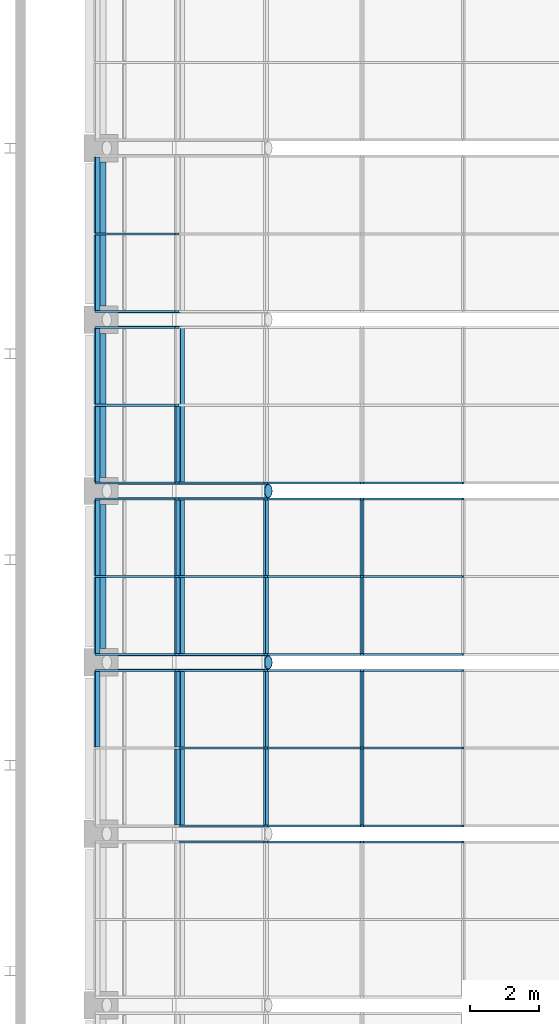
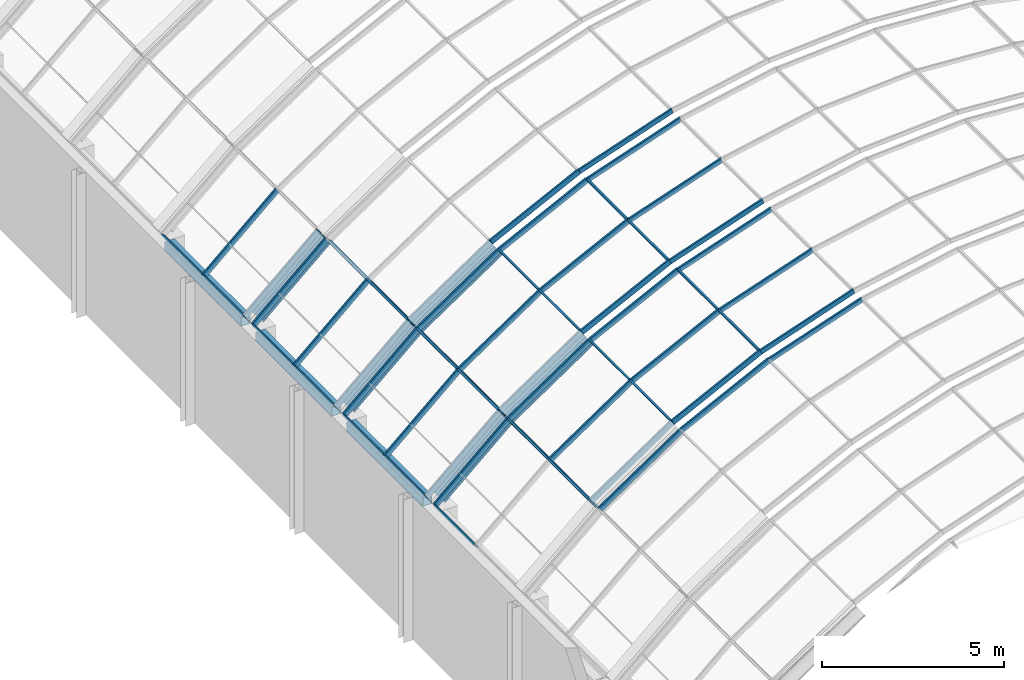
# One storey, part 72 of 182: 61 members, 3 beams, 5 elements without a shape of their own.
"""IFC4 building model written with IfcOpenShell, lengths in metres."""

from ifc_helpers import new_model, si_unit, direction, frame, origin, origin_2d, place, context, subcontext, project, spatial, rectangle, hollow_rectangle, hollow_circle, extrude, material, material_profile, profile_set, type_object, element, aggregate, save


model = new_model("IFC4")

# Units and contexts
model_context = context("Model", 3, precision=1e-05, world=origin(), true_north=direction((0.0, 1.0)))
body_context = subcontext(model_context, "Body", "Model", "MODEL_VIEW")
ifc_project = project(units=[si_unit("LENGTHUNIT", "METRE"), si_unit("AREAUNIT", "SQUARE_METRE"), si_unit("VOLUMEUNIT", "CUBIC_METRE"), si_unit("PLANEANGLEUNIT", "RADIAN"), si_unit("MASSUNIT", "GRAM", prefix="KILO")], contexts=[model_context])

# Site, building, storey
site_placement = place(None, origin())
site = spatial("IfcSite", under=ifc_project, at=site_placement, CompositionType="ELEMENT")
building_placement = place(site_placement, origin())
building = spatial("IfcBuilding", under=site, at=building_placement, Name="Okhra Congress Centre", CompositionType="ELEMENT")
storey_placement = place(building_placement, frame((0.0, 0.0, 7.199951171875)))
storey = spatial("IfcBuildingStorey", under=building, at=storey_placement, Name="L01", CompositionType="ELEMENT", Elevation=7.199951171875)

# Curtain wall, member
ifc_material_1 = material(Name="Aluminium frame with triple glazing", Category="aluminium")
curtain_wall_type = type_object("IfcCurtainWallType", Name="Glazed vault bay curtain wall", PredefinedType="NOTDEFINED", material=ifc_material_1)
curtain_wall_1_placement = place(storey_placement, origin())
curtain_wall_1 = element("IfcCurtainWall", 1, at=curtain_wall_1_placement, inside=storey, type_object=curtain_wall_type, Name="Vault glazing bay 18", PredefinedType="NOTDEFINED")
ifc_material_2 = material(Name="Aluminium alloy 6063", Category="aluminium")
ifc_material_profile_1 = material_profile(ifc_material_2, rectangle(XDim=0.06005859375, YDim=0.159912109375, at=origin_2d()), Name="AL 60x160")
ifc_profile_set_1 = profile_set([ifc_material_profile_1], Name="Aluminium alloy 6063")
member_type_1 = type_object("IfcMemberType", Name="Aluminium mullion 60x160", PredefinedType="MULLION", material=ifc_profile_set_1)
member_1_placement = place(storey_placement, frame((163.11328125, 165.766845703125, 7.12255859375), z_axis=(0.946065064306, 0.0, 0.323976687587), x_axis=(0.0, 1.0, 0.0)))
member_1 = element("IfcMember", 2, at=member_1_placement, type_object=member_type_1, Name="Vault mullion 18.3.4", PredefinedType="MULLION", context=body_context, shape_type="SweptSolid", body=[
    extrude(rectangle(XDim=0.06005859375, YDim=0.159912109375, at=origin_2d()), origin(), (0.0, 0.0, 1.0), 3.124267578125),
])

# Curtain wall, members
curtain_wall_2_placement = place(storey_placement, origin())
curtain_wall_2 = element("IfcCurtainWall", 3, at=curtain_wall_2_placement, inside=storey, type_object=curtain_wall_type, Name="Vault glazing bay 19", PredefinedType="NOTDEFINED")
member_2_placement = place(storey_placement, frame((163.11328125, 166.233154296875, 7.12255859375), z_axis=(0.946065064306, 0.0, 0.323976687587), x_axis=(0.0, 1.0, 0.0)))
member_2 = element("IfcMember", 4, at=member_2_placement, type_object=member_type_1, Name="Vault mullion 19.1.4", PredefinedType="MULLION", context=body_context, shape_type="SweptSolid", body=[
    extrude(rectangle(XDim=0.06005859375, YDim=0.159912109375, at=origin_2d()), origin(), (0.0, 0.0, 1.0), 3.124267578125),
])
member_3_placement = place(storey_placement, frame((163.11328125, 168.5, 7.12255859375), z_axis=(0.946065064306, 0.0, 0.323976687587), x_axis=(0.0, 1.0, 0.0)))
member_3 = element("IfcMember", 5, at=member_3_placement, type_object=member_type_1, Name="Vault mullion 19.2.4", PredefinedType="MULLION", context=body_context, shape_type="SweptSolid", body=[
    extrude(rectangle(XDim=0.06005859375, YDim=0.159912109375, at=origin_2d()), origin(), (0.0, 0.0, 1.0), 3.124267578125),
])
member_4_placement = place(storey_placement, frame((163.11328125, 170.766845703125, 7.12255859375), z_axis=(0.946065064306, 0.0, 0.323976687587), x_axis=(0.0, 1.0, 0.0)))
member_4 = element("IfcMember", 6, at=member_4_placement, type_object=member_type_1, Name="Vault mullion 19.3.4", PredefinedType="MULLION", context=body_context, shape_type="SweptSolid", body=[
    extrude(rectangle(XDim=0.06005859375, YDim=0.159912109375, at=origin_2d()), origin(), (0.0, 0.0, 1.0), 3.124267578125),
])

curtain_wall_3_placement = place(storey_placement, origin())
curtain_wall_3 = element("IfcCurtainWall", 7, at=curtain_wall_3_placement, inside=storey, type_object=curtain_wall_type, Name="Vault glazing bay 20", PredefinedType="NOTDEFINED")
member_5_placement = place(storey_placement, frame((163.11328125, 171.233154296875, 7.12255859375), z_axis=(0.946065064306, 0.0, 0.323976687587), x_axis=(0.0, 1.0, 0.0)))
member_5 = element("IfcMember", 8, at=member_5_placement, type_object=member_type_1, Name="Vault mullion 20.1.4", PredefinedType="MULLION", context=body_context, shape_type="SweptSolid", body=[
    extrude(rectangle(XDim=0.06005859375, YDim=0.159912109375, at=origin_2d()), origin(), (0.0, 0.0, 1.0), 3.124267578125),
])
member_6_placement = place(storey_placement, frame((163.11328125, 173.5, 7.12255859375), z_axis=(0.946065064306, 0.0, 0.323976687587), x_axis=(0.0, 1.0, 0.0)))
member_6 = element("IfcMember", 9, at=member_6_placement, type_object=member_type_1, Name="Vault mullion 20.2.4", PredefinedType="MULLION", context=body_context, shape_type="SweptSolid", body=[
    extrude(rectangle(XDim=0.06005859375, YDim=0.159912109375, at=origin_2d()), origin(), (0.0, 0.0, 1.0), 3.124267578125),
])
member_7_placement = place(storey_placement, frame((163.11328125, 175.766845703125, 7.12255859375), z_axis=(0.946065064306, 0.0, 0.323976687587), x_axis=(0.0, 1.0, 0.0)))
member_7 = element("IfcMember", 10, at=member_7_placement, type_object=member_type_1, Name="Vault mullion 20.3.4", PredefinedType="MULLION", context=body_context, shape_type="SweptSolid", body=[
    extrude(rectangle(XDim=0.06005859375, YDim=0.159912109375, at=origin_2d()), origin(), (0.0, 0.0, 1.0), 3.124267578125),
])

# Curtain wall, member
curtain_wall_4_placement = place(storey_placement, origin())
curtain_wall_4 = element("IfcCurtainWall", 11, at=curtain_wall_4_placement, inside=storey, type_object=curtain_wall_type, Name="Vault glazing bay 21", PredefinedType="NOTDEFINED")
member_8_placement = place(storey_placement, frame((163.11328125, 176.233154296875, 7.12255859375), z_axis=(0.946065064306, 0.0, 0.323976687587), x_axis=(0.0, 1.0, 0.0)))
member_8 = element("IfcMember", 12, at=member_8_placement, type_object=member_type_1, Name="Vault mullion 21.1.4", PredefinedType="MULLION", context=body_context, shape_type="SweptSolid", body=[
    extrude(rectangle(XDim=0.06005859375, YDim=0.159912109375, at=origin_2d()), origin(), (0.0, 0.0, 1.0), 3.124267578125),
])

# Member
ifc_material_profile_2 = material_profile(ifc_material_2, rectangle(XDim=0.06005859375, YDim=0.179931640625, at=origin_2d()), Name="AL 60x180")
ifc_profile_set_2 = profile_set([ifc_material_profile_2], Name="Aluminium alloy 6063")
member_type_2 = type_object("IfcMemberType", Name="Aluminium mullion 60x180", PredefinedType="MULLION", material=ifc_profile_set_2)
member_9_placement = place(storey_placement, frame((157.720703125, 165.766845703125, 3.990478515625), z_axis=(0.828827846338, 0.0, 0.559503709671), x_axis=(0.0, 1.0, 0.0)))
member_9 = element("IfcMember", 13, at=member_9_placement, type_object=member_type_2, Name="Vault mullion 18.3.2", PredefinedType="MULLION", context=body_context, shape_type="SweptSolid", body=[
    extrude(rectangle(XDim=0.06005859375, YDim=0.179931640625, at=origin_2d()), origin(), (0.0, 0.0, 1.0), 3.12548828125),
])

member_10_placement = place(storey_placement, frame((160.311279296875, 165.766845703125, 5.7392578125), z_axis=(0.895253656313, 0.0, 0.445556832354), x_axis=(0.0, 1.0, 0.0)))
member_10 = element("IfcMember", 14, at=member_10_placement, type_object=member_type_2, Name="Vault mullion 18.3.3", PredefinedType="MULLION", context=body_context, shape_type="SweptSolid", body=[
    extrude(rectangle(XDim=0.06005859375, YDim=0.179931640625, at=origin_2d()), origin(), (0.0, 0.0, 1.0), 3.12548828125),
])

aggregate(curtain_wall_1, [member_9, member_10, member_1])

member_11_placement = place(storey_placement, frame((157.720703125, 166.233154296875, 3.990478515625), z_axis=(0.828827846338, 0.0, 0.559503709671), x_axis=(0.0, 1.0, 0.0)))
member_11 = element("IfcMember", 15, at=member_11_placement, type_object=member_type_2, Name="Vault mullion 19.1.2", PredefinedType="MULLION", context=body_context, shape_type="SweptSolid", body=[
    extrude(rectangle(XDim=0.06005859375, YDim=0.179931640625, at=origin_2d()), origin(), (0.0, 0.0, 1.0), 3.12548828125),
])

member_12_placement = place(storey_placement, frame((160.311279296875, 166.233154296875, 5.7392578125), z_axis=(0.895253656313, 0.0, 0.445556832354), x_axis=(0.0, 1.0, 0.0)))
member_12 = element("IfcMember", 16, at=member_12_placement, type_object=member_type_2, Name="Vault mullion 19.1.3", PredefinedType="MULLION", context=body_context, shape_type="SweptSolid", body=[
    extrude(rectangle(XDim=0.06005859375, YDim=0.179931640625, at=origin_2d()), origin(), (0.0, 0.0, 1.0), 3.12548828125),
])

member_13_placement = place(storey_placement, frame((157.720703125, 168.5, 3.990478515625), z_axis=(0.828827846338, 0.0, 0.559503709671), x_axis=(0.0, 1.0, 0.0)))
member_13 = element("IfcMember", 17, at=member_13_placement, type_object=member_type_2, Name="Vault mullion 19.2.2", PredefinedType="MULLION", context=body_context, shape_type="SweptSolid", body=[
    extrude(rectangle(XDim=0.06005859375, YDim=0.179931640625, at=origin_2d()), origin(), (0.0, 0.0, 1.0), 3.12548828125),
])

member_14_placement = place(storey_placement, frame((160.311279296875, 168.5, 5.7392578125), z_axis=(0.895253656313, 0.0, 0.445556832354), x_axis=(0.0, 1.0, 0.0)))
member_14 = element("IfcMember", 18, at=member_14_placement, type_object=member_type_2, Name="Vault mullion 19.2.3", PredefinedType="MULLION", context=body_context, shape_type="SweptSolid", body=[
    extrude(rectangle(XDim=0.06005859375, YDim=0.179931640625, at=origin_2d()), origin(), (0.0, 0.0, 1.0), 3.12548828125),
])

member_15_placement = place(storey_placement, frame((155.382568359375, 170.766845703125, 1.916015625), z_axis=(0.748025229923, 0.0, 0.663670291183), x_axis=(0.0, 1.0, 0.0)))
member_15 = element("IfcMember", 19, at=member_15_placement, type_object=member_type_2, Name="Vault mullion 19.3.1", PredefinedType="MULLION", context=body_context, shape_type="SweptSolid", body=[
    extrude(rectangle(XDim=0.06005859375, YDim=0.179931640625, at=origin_2d()), origin(), (0.0, 0.0, 1.0), 3.125732421875),
])

member_16_placement = place(storey_placement, frame((157.720703125, 170.766845703125, 3.990478515625), z_axis=(0.828827846338, 0.0, 0.559503709671), x_axis=(0.0, 1.0, 0.0)))
member_16 = element("IfcMember", 20, at=member_16_placement, type_object=member_type_2, Name="Vault mullion 19.3.2", PredefinedType="MULLION", context=body_context, shape_type="SweptSolid", body=[
    extrude(rectangle(XDim=0.06005859375, YDim=0.179931640625, at=origin_2d()), origin(), (0.0, 0.0, 1.0), 3.12548828125),
])

member_17_placement = place(storey_placement, frame((160.311279296875, 170.766845703125, 5.7392578125), z_axis=(0.895253656313, 0.0, 0.445556832354), x_axis=(0.0, 1.0, 0.0)))
member_17 = element("IfcMember", 21, at=member_17_placement, type_object=member_type_2, Name="Vault mullion 19.3.3", PredefinedType="MULLION", context=body_context, shape_type="SweptSolid", body=[
    extrude(rectangle(XDim=0.06005859375, YDim=0.179931640625, at=origin_2d()), origin(), (0.0, 0.0, 1.0), 3.12548828125),
])

member_18_placement = place(storey_placement, frame((155.382568359375, 171.233154296875, 1.916015625), z_axis=(0.748025229923, 0.0, 0.663670291183), x_axis=(0.0, 1.0, 0.0)))
member_18 = element("IfcMember", 22, at=member_18_placement, type_object=member_type_2, Name="Vault mullion 20.1.1", PredefinedType="MULLION", context=body_context, shape_type="SweptSolid", body=[
    extrude(rectangle(XDim=0.06005859375, YDim=0.179931640625, at=origin_2d()), origin(), (0.0, 0.0, 1.0), 3.125732421875),
])

member_19_placement = place(storey_placement, frame((157.720703125, 171.233154296875, 3.990478515625), z_axis=(0.828827846338, 0.0, 0.559503709671), x_axis=(0.0, 1.0, 0.0)))
member_19 = element("IfcMember", 23, at=member_19_placement, type_object=member_type_2, Name="Vault mullion 20.1.2", PredefinedType="MULLION", context=body_context, shape_type="SweptSolid", body=[
    extrude(rectangle(XDim=0.06005859375, YDim=0.179931640625, at=origin_2d()), origin(), (0.0, 0.0, 1.0), 3.12548828125),
])

member_20_placement = place(storey_placement, frame((160.311279296875, 171.233154296875, 5.7392578125), z_axis=(0.895253656313, 0.0, 0.445556832354), x_axis=(0.0, 1.0, 0.0)))
member_20 = element("IfcMember", 24, at=member_20_placement, type_object=member_type_2, Name="Vault mullion 20.1.3", PredefinedType="MULLION", context=body_context, shape_type="SweptSolid", body=[
    extrude(rectangle(XDim=0.06005859375, YDim=0.179931640625, at=origin_2d()), origin(), (0.0, 0.0, 1.0), 3.12548828125),
])

member_21_placement = place(storey_placement, frame((155.382568359375, 173.5, 1.916015625), z_axis=(0.748025229923, 0.0, 0.663670291183), x_axis=(0.0, 1.0, 0.0)))
member_21 = element("IfcMember", 25, at=member_21_placement, type_object=member_type_2, Name="Vault mullion 20.2.1", PredefinedType="MULLION", context=body_context, shape_type="SweptSolid", body=[
    extrude(rectangle(XDim=0.06005859375, YDim=0.179931640625, at=origin_2d()), origin(), (0.0, 0.0, 1.0), 3.125732421875),
])

member_22_placement = place(storey_placement, frame((157.720703125, 173.5, 3.990478515625), z_axis=(0.828827846338, 0.0, 0.559503709671), x_axis=(0.0, 1.0, 0.0)))
member_22 = element("IfcMember", 26, at=member_22_placement, type_object=member_type_2, Name="Vault mullion 20.2.2", PredefinedType="MULLION", context=body_context, shape_type="SweptSolid", body=[
    extrude(rectangle(XDim=0.06005859375, YDim=0.179931640625, at=origin_2d()), origin(), (0.0, 0.0, 1.0), 3.12548828125),
])

member_23_placement = place(storey_placement, frame((160.311279296875, 173.5, 5.7392578125), z_axis=(0.895253656313, 0.0, 0.445556832354), x_axis=(0.0, 1.0, 0.0)))
member_23 = element("IfcMember", 27, at=member_23_placement, type_object=member_type_2, Name="Vault mullion 20.2.3", PredefinedType="MULLION", context=body_context, shape_type="SweptSolid", body=[
    extrude(rectangle(XDim=0.06005859375, YDim=0.179931640625, at=origin_2d()), origin(), (0.0, 0.0, 1.0), 3.12548828125),
])

member_24_placement = place(storey_placement, frame((155.382568359375, 175.766845703125, 1.916015625), z_axis=(0.748025229923, 0.0, 0.663670291183), x_axis=(0.0, 1.0, 0.0)))
member_24 = element("IfcMember", 28, at=member_24_placement, type_object=member_type_2, Name="Vault mullion 20.3.1", PredefinedType="MULLION", context=body_context, shape_type="SweptSolid", body=[
    extrude(rectangle(XDim=0.06005859375, YDim=0.179931640625, at=origin_2d()), origin(), (0.0, 0.0, 1.0), 3.125732421875),
])

member_25_placement = place(storey_placement, frame((157.720703125, 175.766845703125, 3.990478515625), z_axis=(0.828827846338, 0.0, 0.559503709671), x_axis=(0.0, 1.0, 0.0)))
member_25 = element("IfcMember", 29, at=member_25_placement, type_object=member_type_2, Name="Vault mullion 20.3.2", PredefinedType="MULLION", context=body_context, shape_type="SweptSolid", body=[
    extrude(rectangle(XDim=0.06005859375, YDim=0.179931640625, at=origin_2d()), origin(), (0.0, 0.0, 1.0), 3.12548828125),
])

member_26_placement = place(storey_placement, frame((160.311279296875, 175.766845703125, 5.7392578125), z_axis=(0.895253656313, 0.0, 0.445556832354), x_axis=(0.0, 1.0, 0.0)))
member_26 = element("IfcMember", 30, at=member_26_placement, type_object=member_type_2, Name="Vault mullion 20.3.3", PredefinedType="MULLION", context=body_context, shape_type="SweptSolid", body=[
    extrude(rectangle(XDim=0.06005859375, YDim=0.179931640625, at=origin_2d()), origin(), (0.0, 0.0, 1.0), 3.12548828125),
])

member_27_placement = place(storey_placement, frame((155.382568359375, 176.233154296875, 1.916015625), z_axis=(0.748025229923, 0.0, 0.663670291183), x_axis=(0.0, 1.0, 0.0)))
member_27 = element("IfcMember", 31, at=member_27_placement, type_object=member_type_2, Name="Vault mullion 21.1.1", PredefinedType="MULLION", context=body_context, shape_type="SweptSolid", body=[
    extrude(rectangle(XDim=0.06005859375, YDim=0.179931640625, at=origin_2d()), origin(), (0.0, 0.0, 1.0), 3.125732421875),
])

member_28_placement = place(storey_placement, frame((157.720703125, 176.233154296875, 3.990478515625), z_axis=(0.828827846338, 0.0, 0.559503709671), x_axis=(0.0, 1.0, 0.0)))
member_28 = element("IfcMember", 32, at=member_28_placement, type_object=member_type_2, Name="Vault mullion 21.1.2", PredefinedType="MULLION", context=body_context, shape_type="SweptSolid", body=[
    extrude(rectangle(XDim=0.06005859375, YDim=0.179931640625, at=origin_2d()), origin(), (0.0, 0.0, 1.0), 3.12548828125),
])

member_29_placement = place(storey_placement, frame((160.311279296875, 176.233154296875, 5.7392578125), z_axis=(0.895253656313, 0.0, 0.445556832354), x_axis=(0.0, 1.0, 0.0)))
member_29 = element("IfcMember", 33, at=member_29_placement, type_object=member_type_2, Name="Vault mullion 21.1.3", PredefinedType="MULLION", context=body_context, shape_type="SweptSolid", body=[
    extrude(rectangle(XDim=0.06005859375, YDim=0.179931640625, at=origin_2d()), origin(), (0.0, 0.0, 1.0), 3.12548828125),
])

member_30_placement = place(storey_placement, frame((155.382568359375, 178.5, 1.916015625), z_axis=(0.748025229923, 0.0, 0.663670291183), x_axis=(0.0, 1.0, 0.0)))
member_30 = element("IfcMember", 34, at=member_30_placement, type_object=member_type_2, Name="Vault mullion 21.2.1", PredefinedType="MULLION", context=body_context, shape_type="SweptSolid", body=[
    extrude(rectangle(XDim=0.06005859375, YDim=0.179931640625, at=origin_2d()), origin(), (0.0, 0.0, 1.0), 3.125732421875),
])

member_31_placement = place(storey_placement, frame((155.382568359375, 180.766845703125, 1.916015625), z_axis=(0.748025229923, 0.0, 0.663670291183), x_axis=(0.0, 1.0, 0.0)))
member_31 = element("IfcMember", 35, at=member_31_placement, type_object=member_type_2, Name="Vault mullion 21.3.1", PredefinedType="MULLION", context=body_context, shape_type="SweptSolid", body=[
    extrude(rectangle(XDim=0.06005859375, YDim=0.179931640625, at=origin_2d()), origin(), (0.0, 0.0, 1.0), 3.125732421875),
])

# Curtain wall, members
curtain_wall_5_placement = place(storey_placement, origin())
curtain_wall_5 = element("IfcCurtainWall", 36, at=curtain_wall_5_placement, inside=storey, type_object=curtain_wall_type, Name="Vault glazing bay 22", PredefinedType="NOTDEFINED")
member_32_placement = place(storey_placement, frame((155.382568359375, 181.233154296875, 1.916015625), z_axis=(0.748025229923, 0.0, 0.663670291183), x_axis=(0.0, 1.0, 0.0)))
member_32 = element("IfcMember", 37, at=member_32_placement, type_object=member_type_2, Name="Vault mullion 22.1.1", PredefinedType="MULLION", context=body_context, shape_type="SweptSolid", body=[
    extrude(rectangle(XDim=0.06005859375, YDim=0.179931640625, at=origin_2d()), origin(), (0.0, 0.0, 1.0), 3.125732421875),
])
member_33_placement = place(storey_placement, frame((155.382568359375, 183.5, 1.916015625), z_axis=(0.748025229923, 0.0, 0.663670291183), x_axis=(0.0, 1.0, 0.0)))
member_33 = element("IfcMember", 38, at=member_33_placement, type_object=member_type_2, Name="Vault mullion 22.2.1", PredefinedType="MULLION", context=body_context, shape_type="SweptSolid", body=[
    extrude(rectangle(XDim=0.06005859375, YDim=0.179931640625, at=origin_2d()), origin(), (0.0, 0.0, 1.0), 3.125732421875),
])

# Member
ifc_material_profile_3 = material_profile(ifc_material_2, rectangle(XDim=0.06005859375, YDim=0.159912109375, at=origin_2d()), Name="AL 60x160 transom")
ifc_profile_set_3 = profile_set([ifc_material_profile_3], Name="Aluminium alloy 6063")
member_type_3 = type_object("IfcMemberType", Name="Aluminium transom 60x160", PredefinedType="USERDEFINED", material=ifc_profile_set_3)
member_34_placement = place(storey_placement, frame((163.11328125, 166.26318359375, 7.12255859375), z_axis=(0.0, 1.0, 0.0), x_axis=(-0.922668973833, 0.0, -0.38559300399)))
member_34 = element("IfcMember", 39, at=member_34_placement, type_object=member_type_3, Name="Vault transom 19.1.4", ObjectType="TRANSOM", PredefinedType="USERDEFINED", context=body_context, shape_type="SweptSolid", body=[
    extrude(rectangle(XDim=0.06005859375, YDim=0.159912109375, at=origin_2d()), origin(), (0.0, 0.0, 1.0), 2.206787109375),
])

member_35_placement = place(storey_placement, frame((163.11328125, 168.530029296875, 7.12255859375), z_axis=(0.0, 1.0, 0.0), x_axis=(-0.922668973833, 0.0, -0.38559300399)))
member_35 = element("IfcMember", 40, at=member_35_placement, type_object=member_type_3, Name="Vault transom 19.2.4", ObjectType="TRANSOM", PredefinedType="USERDEFINED", context=body_context, shape_type="SweptSolid", body=[
    extrude(rectangle(XDim=0.06005859375, YDim=0.159912109375, at=origin_2d()), origin(), (0.0, 0.0, 1.0), 2.206787109375),
])

member_36_placement = place(storey_placement, frame((163.11328125, 171.26318359375, 7.12255859375), z_axis=(0.0, 1.0, 0.0), x_axis=(-0.922668973833, 0.0, -0.38559300399)))
member_36 = element("IfcMember", 41, at=member_36_placement, type_object=member_type_3, Name="Vault transom 20.1.4", ObjectType="TRANSOM", PredefinedType="USERDEFINED", context=body_context, shape_type="SweptSolid", body=[
    extrude(rectangle(XDim=0.06005859375, YDim=0.159912109375, at=origin_2d()), origin(), (0.0, 0.0, 1.0), 2.206787109375),
])

member_37_placement = place(storey_placement, frame((163.11328125, 173.530029296875, 7.12255859375), z_axis=(0.0, 1.0, 0.0), x_axis=(-0.922668973833, 0.0, -0.38559300399)))
member_37 = element("IfcMember", 42, at=member_37_placement, type_object=member_type_3, Name="Vault transom 20.2.4", ObjectType="TRANSOM", PredefinedType="USERDEFINED", context=body_context, shape_type="SweptSolid", body=[
    extrude(rectangle(XDim=0.06005859375, YDim=0.159912109375, at=origin_2d()), origin(), (0.0, 0.0, 1.0), 2.206787109375),
])

ifc_material_profile_4 = material_profile(ifc_material_2, rectangle(XDim=0.06005859375, YDim=0.179931640625, at=origin_2d()), Name="AL 60x180 transom")
ifc_profile_set_4 = profile_set([ifc_material_profile_4], Name="Aluminium alloy 6063")
member_type_4 = type_object("IfcMemberType", Name="Aluminium transom 60x180", PredefinedType="USERDEFINED", material=ifc_profile_set_4)
member_38_placement = place(storey_placement, frame((157.720703125, 166.26318359375, 3.990478515625), z_axis=(0.0, 1.0, 0.0), x_axis=(-0.790145035185, 0.0, -0.612919915954)))
member_38 = element("IfcMember", 43, at=member_38_placement, type_object=member_type_4, Name="Vault transom 19.1.2", ObjectType="TRANSOM", PredefinedType="USERDEFINED", context=body_context, shape_type="SweptSolid", body=[
    extrude(rectangle(XDim=0.06005859375, YDim=0.179931640625, at=origin_2d()), origin(), (0.0, 0.0, 1.0), 2.206787109375),
])

member_39_placement = place(storey_placement, frame((160.311279296875, 166.26318359375, 5.7392578125), z_axis=(0.0, 1.0, 0.0), x_axis=(-0.86391685861, 0.0, -0.503634452167)))
member_39 = element("IfcMember", 44, at=member_39_placement, type_object=member_type_4, Name="Vault transom 19.1.3", ObjectType="TRANSOM", PredefinedType="USERDEFINED", context=body_context, shape_type="SweptSolid", body=[
    extrude(rectangle(XDim=0.06005859375, YDim=0.179931640625, at=origin_2d()), origin(), (0.0, 0.0, 1.0), 2.206787109375),
])

member_40_placement = place(storey_placement, frame((155.382568359375, 168.530029296875, 1.916015625), z_axis=(0.0, 1.0, 0.0), x_axis=(-0.702636070549, 0.0, -0.711549402616)))
member_40 = element("IfcMember", 45, at=member_40_placement, type_object=member_type_4, Name="Vault transom 19.2.1", ObjectType="TRANSOM", PredefinedType="USERDEFINED", context=body_context, shape_type="SweptSolid", body=[
    extrude(rectangle(XDim=0.06005859375, YDim=0.179931640625, at=origin_2d()), origin(), (0.0, 0.0, 1.0), 2.206787109375),
])

member_41_placement = place(storey_placement, frame((157.720703125, 168.530029296875, 3.990478515625), z_axis=(0.0, 1.0, 0.0), x_axis=(-0.790145035185, 0.0, -0.612919915954)))
member_41 = element("IfcMember", 46, at=member_41_placement, type_object=member_type_4, Name="Vault transom 19.2.2", ObjectType="TRANSOM", PredefinedType="USERDEFINED", context=body_context, shape_type="SweptSolid", body=[
    extrude(rectangle(XDim=0.06005859375, YDim=0.179931640625, at=origin_2d()), origin(), (0.0, 0.0, 1.0), 2.206787109375),
])

member_42_placement = place(storey_placement, frame((160.311279296875, 168.530029296875, 5.7392578125), z_axis=(0.0, 1.0, 0.0), x_axis=(-0.86391685861, 0.0, -0.503634452167)))
member_42 = element("IfcMember", 47, at=member_42_placement, type_object=member_type_4, Name="Vault transom 19.2.3", ObjectType="TRANSOM", PredefinedType="USERDEFINED", context=body_context, shape_type="SweptSolid", body=[
    extrude(rectangle(XDim=0.06005859375, YDim=0.179931640625, at=origin_2d()), origin(), (0.0, 0.0, 1.0), 2.206787109375),
])

aggregate(curtain_wall_2, [member_11, member_12, member_2, member_13, member_14, member_3, member_15, member_16, member_17, member_4, member_38, member_39, member_34, member_40, member_41, member_42, member_35])

member_43_placement = place(storey_placement, frame((155.382568359375, 171.26318359375, 1.916015625), z_axis=(0.0, 1.0, 0.0), x_axis=(-0.702636070549, 0.0, -0.711549402616)))
member_43 = element("IfcMember", 48, at=member_43_placement, type_object=member_type_4, Name="Vault transom 20.1.1", ObjectType="TRANSOM", PredefinedType="USERDEFINED", context=body_context, shape_type="SweptSolid", body=[
    extrude(rectangle(XDim=0.06005859375, YDim=0.179931640625, at=origin_2d()), origin(), (0.0, 0.0, 1.0), 2.206787109375),
])

member_44_placement = place(storey_placement, frame((157.720703125, 171.26318359375, 3.990478515625), z_axis=(0.0, 1.0, 0.0), x_axis=(-0.790145035185, 0.0, -0.612919915954)))
member_44 = element("IfcMember", 49, at=member_44_placement, type_object=member_type_4, Name="Vault transom 20.1.2", ObjectType="TRANSOM", PredefinedType="USERDEFINED", context=body_context, shape_type="SweptSolid", body=[
    extrude(rectangle(XDim=0.06005859375, YDim=0.179931640625, at=origin_2d()), origin(), (0.0, 0.0, 1.0), 2.206787109375),
])

member_45_placement = place(storey_placement, frame((160.311279296875, 171.26318359375, 5.7392578125), z_axis=(0.0, 1.0, 0.0), x_axis=(-0.86391685861, 0.0, -0.503634452167)))
member_45 = element("IfcMember", 50, at=member_45_placement, type_object=member_type_4, Name="Vault transom 20.1.3", ObjectType="TRANSOM", PredefinedType="USERDEFINED", context=body_context, shape_type="SweptSolid", body=[
    extrude(rectangle(XDim=0.06005859375, YDim=0.179931640625, at=origin_2d()), origin(), (0.0, 0.0, 1.0), 2.206787109375),
])

member_46_placement = place(storey_placement, frame((155.382568359375, 173.530029296875, 1.916015625), z_axis=(0.0, 1.0, 0.0), x_axis=(-0.702636070549, 0.0, -0.711549402616)))
member_46 = element("IfcMember", 51, at=member_46_placement, type_object=member_type_4, Name="Vault transom 20.2.1", ObjectType="TRANSOM", PredefinedType="USERDEFINED", context=body_context, shape_type="SweptSolid", body=[
    extrude(rectangle(XDim=0.06005859375, YDim=0.179931640625, at=origin_2d()), origin(), (0.0, 0.0, 1.0), 2.206787109375),
])

member_47_placement = place(storey_placement, frame((157.720703125, 173.530029296875, 3.990478515625), z_axis=(0.0, 1.0, 0.0), x_axis=(-0.790145035185, 0.0, -0.612919915954)))
member_47 = element("IfcMember", 52, at=member_47_placement, type_object=member_type_4, Name="Vault transom 20.2.2", ObjectType="TRANSOM", PredefinedType="USERDEFINED", context=body_context, shape_type="SweptSolid", body=[
    extrude(rectangle(XDim=0.06005859375, YDim=0.179931640625, at=origin_2d()), origin(), (0.0, 0.0, 1.0), 2.206787109375),
])

member_48_placement = place(storey_placement, frame((160.311279296875, 173.530029296875, 5.7392578125), z_axis=(0.0, 1.0, 0.0), x_axis=(-0.86391685861, 0.0, -0.503634452167)))
member_48 = element("IfcMember", 53, at=member_48_placement, type_object=member_type_4, Name="Vault transom 20.2.3", ObjectType="TRANSOM", PredefinedType="USERDEFINED", context=body_context, shape_type="SweptSolid", body=[
    extrude(rectangle(XDim=0.06005859375, YDim=0.179931640625, at=origin_2d()), origin(), (0.0, 0.0, 1.0), 2.206787109375),
])

aggregate(curtain_wall_3, [member_18, member_19, member_20, member_5, member_21, member_22, member_23, member_6, member_24, member_25, member_26, member_7, member_43, member_44, member_45, member_36, member_46, member_47, member_48, member_37])

member_49_placement = place(storey_placement, frame((155.382568359375, 176.26318359375, 1.916015625), z_axis=(0.0, 1.0, 0.0), x_axis=(-0.702636070549, 0.0, -0.711549402616)))
member_49 = element("IfcMember", 54, at=member_49_placement, type_object=member_type_4, Name="Vault transom 21.1.1", ObjectType="TRANSOM", PredefinedType="USERDEFINED", context=body_context, shape_type="SweptSolid", body=[
    extrude(rectangle(XDim=0.06005859375, YDim=0.179931640625, at=origin_2d()), origin(), (0.0, 0.0, 1.0), 2.206787109375),
])

member_50_placement = place(storey_placement, frame((157.720703125, 176.26318359375, 3.990478515625), z_axis=(0.0, 1.0, 0.0), x_axis=(-0.790145035185, 0.0, -0.612919915954)))
member_50 = element("IfcMember", 55, at=member_50_placement, type_object=member_type_4, Name="Vault transom 21.1.2", ObjectType="TRANSOM", PredefinedType="USERDEFINED", context=body_context, shape_type="SweptSolid", body=[
    extrude(rectangle(XDim=0.06005859375, YDim=0.179931640625, at=origin_2d()), origin(), (0.0, 0.0, 1.0), 2.206787109375),
])

member_51_placement = place(storey_placement, frame((155.382568359375, 178.530029296875, 1.916015625), z_axis=(0.0, 1.0, 0.0), x_axis=(-0.702636070549, 0.0, -0.711549402616)))
member_51 = element("IfcMember", 56, at=member_51_placement, type_object=member_type_4, Name="Vault transom 21.2.1", ObjectType="TRANSOM", PredefinedType="USERDEFINED", context=body_context, shape_type="SweptSolid", body=[
    extrude(rectangle(XDim=0.06005859375, YDim=0.179931640625, at=origin_2d()), origin(), (0.0, 0.0, 1.0), 2.206787109375),
])

aggregate(curtain_wall_4, [member_27, member_28, member_29, member_8, member_30, member_31, member_49, member_50, member_51])

member_52_placement = place(storey_placement, frame((155.382568359375, 181.26318359375, 1.916015625), z_axis=(0.0, 1.0, 0.0), x_axis=(-0.702636070549, 0.0, -0.711549402616)))
member_52 = element("IfcMember", 57, at=member_52_placement, type_object=member_type_4, Name="Vault transom 22.1.1", ObjectType="TRANSOM", PredefinedType="USERDEFINED", context=body_context, shape_type="SweptSolid", body=[
    extrude(rectangle(XDim=0.06005859375, YDim=0.179931640625, at=origin_2d()), origin(), (0.0, 0.0, 1.0), 2.206787109375),
])

member_53_placement = place(storey_placement, frame((155.382568359375, 183.530029296875, 1.916015625), z_axis=(0.0, 1.0, 0.0), x_axis=(-0.702636070549, 0.0, -0.711549402616)))
member_53 = element("IfcMember", 58, at=member_53_placement, type_object=member_type_4, Name="Vault transom 22.2.1", ObjectType="TRANSOM", PredefinedType="USERDEFINED", context=body_context, shape_type="SweptSolid", body=[
    extrude(rectangle(XDim=0.06005859375, YDim=0.179931640625, at=origin_2d()), origin(), (0.0, 0.0, 1.0), 2.206787109375),
])

aggregate(curtain_wall_5, [member_32, member_33, member_52, member_53])

# Beams
ifc_material_3 = material(Name="Steel S355J2", Category="steel")
ifc_material_profile_5 = material_profile(ifc_material_3, hollow_rectangle(XDim=0.300048828125, YDim=0.300048828125, WallThickness=0.012451171875, at=origin_2d()), Name="RHS 300x300x12.5")
ifc_profile_set_5 = profile_set([ifc_material_profile_5], Name="Steel S355J2")
beam_type = type_object("IfcBeamType", Name="Steel eaves beam RHS 300x300x12.5", PredefinedType="BEAM", material=ifc_profile_set_5)
for number, where, z_axis, x_axis, name in (
    (59, (155.5, 171.39990234375, 1.650146484375), (0.0, 1.0, 0.0), (-1.0, 0.0, 0.0), "Eaves beam W20"),
    (60, (155.5, 176.39990234375, 1.650146484375), (0.0, 1.0, 0.0), (-1.0, 0.0, 0.0), "Eaves beam W21"),
    (61, (155.5, 181.39990234375, 1.650146484375), (0.0, 1.0, 0.0), (-1.0, 0.0, 0.0), "Eaves beam W22"),
):
    element("IfcBeam", number, at=place(storey_placement, frame(where, z_axis=z_axis, x_axis=x_axis)), inside=storey, type_object=beam_type, Name=name, PredefinedType="BEAM", context=body_context, shape_type="SweptSolid", body=[
        extrude(hollow_rectangle(XDim=0.300048828125, YDim=0.300048828125, WallThickness=0.012451171875, at=origin_2d()), origin(), (0.0, 0.0, 1.0), 4.2001953125),
    ])

# Members
ifc_material_profile_6 = material_profile(ifc_material_3, hollow_rectangle(XDim=0.10009765625, YDim=0.199951171875, WallThickness=0.008056640625, at=origin_2d()), Name="RHS 200x100x8")
ifc_profile_set_6 = profile_set([ifc_material_profile_6], Name="Steel S355J2")
member_type_5 = type_object("IfcMemberType", Name="Steel purlin RHS 200x100x8", PredefinedType="PURLIN", material=ifc_profile_set_6)
for number, where, z_axis, x_axis, name in (
    (62, (157.837158203125, 166.203125, 3.84033203125), (0.0, 1.0, 0.0), (-0.790145035185, 0.0, -0.612919915954), "Vault purlin 19.1"),
    (63, (157.837158203125, 171.203125, 3.84033203125), (0.0, 1.0, 0.0), (-0.790145035185, 0.0, -0.612919915954), "Vault purlin 20.1"),
    (64, (157.837158203125, 176.203125, 3.84033203125), (0.0, 1.0, 0.0), (-0.790145035185, 0.0, -0.612919915954), "Vault purlin 21.1"),
):
    element("IfcMember", number, at=place(storey_placement, frame(where, z_axis=z_axis, x_axis=x_axis)), inside=storey, type_object=member_type_5, Name=name, PredefinedType="PURLIN", context=body_context, shape_type="SweptSolid", body=[
        extrude(hollow_rectangle(XDim=0.10009765625, YDim=0.199951171875, WallThickness=0.008056640625, at=origin_2d()), origin(), (0.0, 0.0, 1.0), 4.59375),
    ])
ifc_material_profile_7 = material_profile(ifc_material_3, hollow_circle(Radius=0.203125, WallThickness=0.01611328125, at=origin_2d()), Name="CHS 406.4x16")
ifc_profile_set_7 = profile_set([ifc_material_profile_7], Name="Steel S355J2")
member_type_6 = type_object("IfcMemberType", Name="Tubular steel arch rib CHS 406x16", PredefinedType="USERDEFINED", material=ifc_profile_set_7)
member_54_placement = place(storey_placement, frame((155.67138671875, 171.0, 1.9521484375), z_axis=(0.74800221093, 0.0, 0.663696235069), x_axis=(0.0, 1.0, 0.0)))
element("IfcMember", 65, at=member_54_placement, inside=storey, type_object=member_type_6, Name="Arch rib 20.1", ObjectType="Arch rib", PredefinedType="USERDEFINED", context=body_context, shape_type="SweptSolid", body=[
    extrude(hollow_circle(Radius=0.203125, WallThickness=0.01611328125, at=origin_2d()), origin(), (0.0, 0.0, 1.0), 2.861083984375),
])
member_55_placement = place(storey_placement, frame((157.8330078125, 171.0, 3.86767578125), z_axis=(0.82882567543, 0.0, 0.559506925558), x_axis=(0.0, 1.0, 0.0)))
element("IfcMember", 66, at=member_55_placement, inside=storey, type_object=member_type_6, Name="Arch rib 20.2", ObjectType="Arch rib", PredefinedType="USERDEFINED", context=body_context, shape_type="SweptSolid", body=[
    extrude(hollow_circle(Radius=0.203125, WallThickness=0.01611328125, at=origin_2d()), origin(), (0.0, 0.0, 1.0), 3.07666015625),
])
member_56_placement = place(storey_placement, frame((155.67138671875, 176.0, 1.9521484375), z_axis=(0.74800221093, 0.0, 0.663696235069), x_axis=(0.0, 1.0, 0.0)))
element("IfcMember", 67, at=member_56_placement, inside=storey, type_object=member_type_6, Name="Arch rib 21.1", ObjectType="Arch rib", PredefinedType="USERDEFINED", context=body_context, shape_type="SweptSolid", body=[
    extrude(hollow_circle(Radius=0.203125, WallThickness=0.01611328125, at=origin_2d()), origin(), (0.0, 0.0, 1.0), 2.861083984375),
])
member_57_placement = place(storey_placement, frame((157.8330078125, 176.0, 3.86767578125), z_axis=(0.82882567543, 0.0, 0.559506925558), x_axis=(0.0, 1.0, 0.0)))
element("IfcMember", 68, at=member_57_placement, inside=storey, type_object=member_type_6, Name="Arch rib 21.2", ObjectType="Arch rib", PredefinedType="USERDEFINED", context=body_context, shape_type="SweptSolid", body=[
    extrude(hollow_circle(Radius=0.203125, WallThickness=0.01611328125, at=origin_2d()), origin(), (0.0, 0.0, 1.0), 3.07666015625),
])
member_58_placement = place(storey_placement, frame((155.67138671875, 181.0, 1.9521484375), z_axis=(0.74800221093, 0.0, 0.663696235069), x_axis=(0.0, 1.0, 0.0)))
element("IfcMember", 69, at=member_58_placement, inside=storey, type_object=member_type_6, Name="Arch rib 22.1", ObjectType="Arch rib", PredefinedType="USERDEFINED", context=body_context, shape_type="SweptSolid", body=[
    extrude(hollow_circle(Radius=0.203125, WallThickness=0.01611328125, at=origin_2d()), origin(), (0.0, 0.0, 1.0), 2.861083984375),
])

save(model, "model.ifc")
